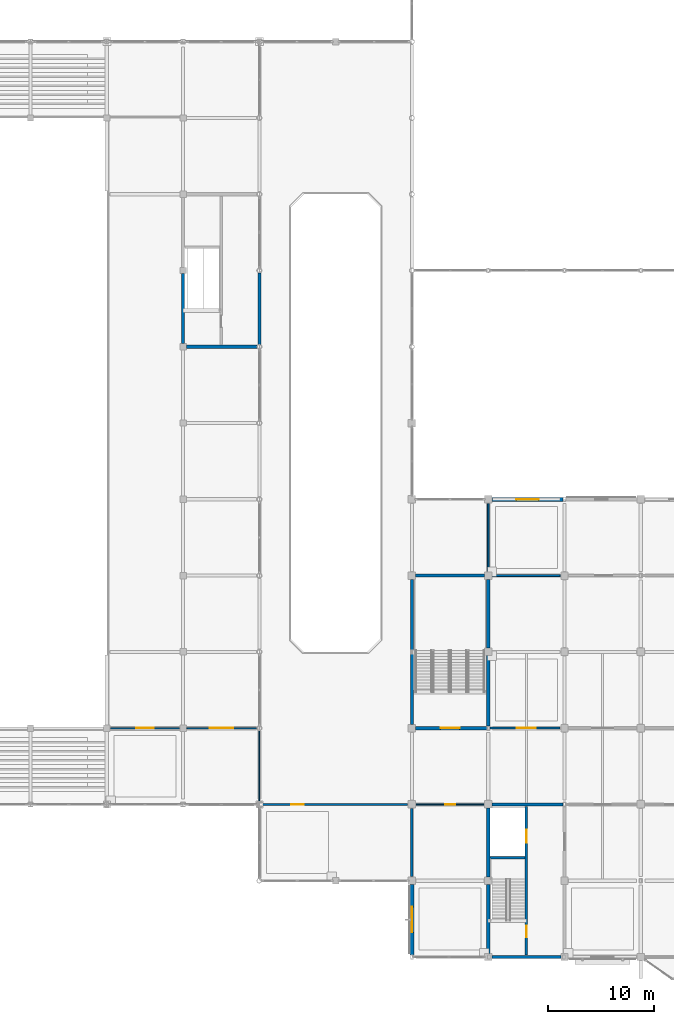
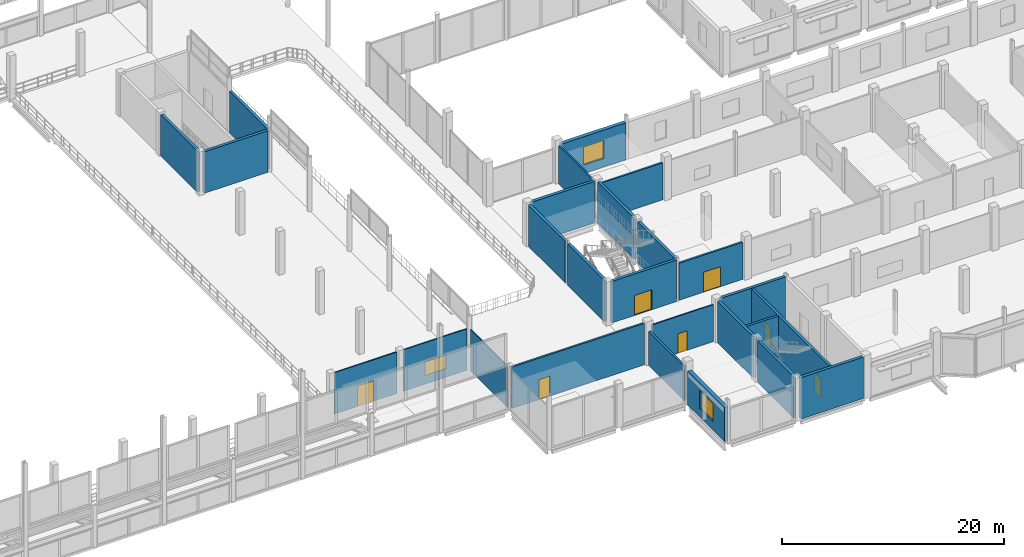
# One storey, part 93 of 120: 26 walls, 7 doors, 3 windows, 10 openings.
"""IFC4 building model written with IfcOpenShell, lengths in metres."""

from ifc_helpers import new_model, si_unit, direction, frame, frame_2d, origin, place, context, subcontext, project, spatial, rectangle, extrude, material, layer, layer_set, type_object, element, fill, save


model = new_model("IFC4")

# Units and contexts
model_context = context("Model", 3, precision=1e-05, world=origin(), true_north=direction((0.0, 1.0)))
body_context = subcontext(model_context, "Body", "Model", "MODEL_VIEW")
ifc_project = project(units=[si_unit("LENGTHUNIT", "METRE"), si_unit("AREAUNIT", "SQUARE_METRE"), si_unit("VOLUMEUNIT", "CUBIC_METRE"), si_unit("PLANEANGLEUNIT", "RADIAN"), si_unit("MASSUNIT", "GRAM", prefix="KILO")], contexts=[model_context])

# Site, building, storey
site_placement = place(None, origin())
site = spatial("IfcSite", under=ifc_project, at=site_placement, CompositionType="ELEMENT")
building_placement = place(site_placement, origin())
building = spatial("IfcBuilding", under=site, at=building_placement, Name="Vesperath Aquatics Centre", CompositionType="ELEMENT")
storey_placement = place(building_placement, frame((0.0, 0.0, 10.199951171875)))
storey = spatial("IfcBuildingStorey", under=building, at=storey_placement, Name="L02", CompositionType="ELEMENT", Elevation=10.199951171875)

# Wall, opening, window
ifc_material_1 = material(Name="Red-terracotta brick insulated cavity wall", Category="masonry")
ifc_layer_1 = layer(ifc_material_1, 0.3798828125)
ifc_layer_set_1 = layer_set([ifc_layer_1], Name="Red-terracotta brick insulated cavity wall")
wall_type_1 = type_object("IfcWallType", Name="WL-EW02", PredefinedType="SOLIDWALL", material=ifc_layer_set_1)
wall_1_placement = place(storey_placement, frame((122.75, 43.199951171875, 0.0), z_axis=(0.0, 0.0, 1.0), x_axis=(1.0, 0.0, 0.0)))
wall_1 = element("IfcWall", 1, at=wall_1_placement, inside=storey, type_object=wall_type_1, Name="Exterior Wall EW02 L02_N_17_06", PredefinedType="SOLIDWALL", context=body_context, shape_type="SweptSolid", body=[
    extrude(rectangle(XDim=6.72509765625, YDim=0.3798828125, at=frame_2d((3.362548828125, 0.0))), origin(), (0.0, 0.0, 1.0), 4.072021484375),
])
opening_1_placement = place(wall_1_placement, frame((2.31201171875, 0.0, 0.949951171875)))
opening_1 = element("IfcOpeningElement", 2, at=opening_1_placement, cuts=wall_1, Name="Opening W06", PredefinedType="OPENING", context=body_context, shape_type="SweptSolid", body=[
    extrude(rectangle(XDim=2.10009765625, YDim=2.0, at=frame_2d((1.050048828125, 1.0))), frame((0.0, 0.204833984375, 0.0), z_axis=(0.0, -1.0, 0.0), x_axis=(1.0, 0.0, 0.0)), (0.0, 0.0, 1.0), 0.40966796875),
])
ifc_material_2 = material(Name="Thermally broken aluminium triple-glazed window", Category="aluminium")
window_type_1 = type_object("IfcWindowType", Name="WN-W06", PartitioningType="SINGLE_PANEL", PredefinedType="WINDOW", material=ifc_material_2)
window_1_placement = place(opening_1_placement, origin())
window_1 = element("IfcWindow", 3, at=window_1_placement, inside=storey, type_object=window_type_1, Name="Deep-Reveal Casement Window W06 L02_N_17_06", OverallHeight=2.0, OverallWidth=2.10009765625, PartitioningType="SINGLE_PANEL", PredefinedType="WINDOW", context=body_context, shape_type="SweptSolid", body=[
    extrude(rectangle(XDim=2.10009765625, YDim=2.0, at=frame_2d((1.050048828125, 1.0))), frame((0.0, 0.030029296875, 0.0), z_axis=(0.0, -1.0, 0.0), x_axis=(1.0, 0.0, 0.0)), (0.0, 0.0, 1.0), 0.06005859375),
])
fill(opening_1, window_1)

wall_2_placement = place(storey_placement, frame((115.199951171875, 0.199951171875, 0.0), z_axis=(0.0, 0.0, 1.0), x_axis=(0.0, 1.0, 0.0)))
wall_2 = element("IfcWall", 4, at=wall_2_placement, inside=storey, type_object=wall_type_1, Name="Exterior Wall EW02 L02_W_16_00", PredefinedType="SOLIDWALL", context=body_context, shape_type="SweptSolid", body=[
    extrude(rectangle(XDim=6.650146484375, YDim=0.3798828125, at=frame_2d((3.3251953125, 0.0))), origin(), (0.0, 0.0, 1.0), 3.760009765625),
])
opening_2_placement = place(wall_2_placement, frame((2.125, 0.0, 0.949951171875)))
opening_2 = element("IfcOpeningElement", 5, at=opening_2_placement, cuts=wall_2, Name="Opening W05", PredefinedType="OPENING", context=body_context, shape_type="SweptSolid", body=[
    extrude(rectangle(XDim=2.39990234375, YDim=2.0, at=frame_2d((1.199951171875, 1.0))), frame((0.0, 0.204833984375, 0.0), z_axis=(0.0, -1.0, 0.0), x_axis=(1.0, 0.0, 0.0)), (0.0, 0.0, 1.0), 0.40966796875),
])
window_type_2 = type_object("IfcWindowType", Name="WN-W05", PartitioningType="SINGLE_PANEL", PredefinedType="WINDOW", material=ifc_material_2)
window_2_placement = place(opening_2_placement, origin())
window_2 = element("IfcWindow", 6, at=window_2_placement, inside=storey, type_object=window_type_2, Name="Deep-Reveal Casement Window W05 L02_W_16_00", OverallHeight=2.0, OverallWidth=2.39990234375, PartitioningType="SINGLE_PANEL", PredefinedType="WINDOW", context=body_context, shape_type="SweptSolid", body=[
    extrude(rectangle(XDim=2.39990234375, YDim=2.0, at=frame_2d((1.199951171875, 1.0))), frame((0.0, 0.030029296875, 0.0), z_axis=(0.0, -1.0, 0.0), x_axis=(1.0, 0.0, 0.0)), (0.0, 0.0, 1.0), 0.06005859375),
])
fill(opening_2, window_2)

# Wall
ifc_material_3 = material(Name="Autoclaved aerated masonry blockwork", Category="masonry")
ifc_layer_2 = layer(ifc_material_3, 0.22998046875)
ifc_layer_set_2 = layer_set([ifc_layer_2], Name="Autoclaved aerated masonry blockwork")
wall_type_2 = type_object("IfcWallType", Name="WL-FW01", PredefinedType="SOLIDWALL", material=ifc_layer_set_2)
wall_3_placement = place(storey_placement, frame((115.199951171875, 7.60009765625, 0.0), z_axis=(0.0, 0.0, 1.0), x_axis=(0.0, 1.0, 0.0)))
element("IfcWall", 7, at=wall_3_placement, inside=storey, type_object=wall_type_2, Name="Interior Partition FW01 L02_SALON-E1", PredefinedType="SOLIDWALL", context=body_context, shape_type="SweptSolid", body=[
    extrude(rectangle(XDim=6.39990234375, YDim=0.22998046875, at=frame_2d((3.199951171875, 0.0))), origin(), (0.0, 0.0, 1.0), 3.760009765625),
])

# Wall, opening, door
ifc_material_4 = material(Name="Wet-village masonry block wall", Category="masonry")
ifc_layer_3 = layer(ifc_material_4, 0.199951171875)
ifc_layer_set_3 = layer_set([ifc_layer_3], Name="Wet-village masonry block wall")
wall_type_3 = type_object("IfcWallType", Name="WL-FW03", PredefinedType="SOLIDWALL", material=ifc_layer_set_3)
wall_4_placement = place(storey_placement, frame((122.574951171875, 21.60009765625, 0.0), z_axis=(0.0, 0.0, 1.0), x_axis=(1.0, 0.0, 0.0)))
wall_4 = element("IfcWall", 8, at=wall_4_placement, inside=storey, type_object=wall_type_3, Name="Interior Partition FW03 L02_FUNC_TR-S1", PredefinedType="SOLIDWALL", context=body_context, shape_type="SweptSolid", body=[
    extrude(rectangle(XDim=6.625, YDim=0.199951171875, at=frame_2d((3.3125, 0.0))), origin(), (0.0, 0.0, 1.0), 4.072021484375),
])
opening_3_placement = place(wall_4_placement, frame((2.52490234375, 0.0, 0.0)))
opening_3 = element("IfcOpeningElement", 9, at=opening_3_placement, cuts=wall_4, Name="Opening D03", PredefinedType="OPENING", context=body_context, shape_type="SweptSolid", body=[
    extrude(rectangle(XDim=1.800048828125, YDim=2.199951171875, at=frame_2d((0.89990234375, 1.10009765625))), frame((0.0, 0.11474609375, 0.0), z_axis=(0.0, -1.0, 0.0), x_axis=(1.0, 0.0, 0.0)), (0.0, 0.0, 1.0), 0.229736328125),
])
ifc_material_5 = material(Name="Corridor smoke-control double fire door", Category="steel")
door_type_1 = type_object("IfcDoorType", Name="DR-FD03", OperationType="DOUBLE_SWING_LEFT", PredefinedType="DOOR", material=ifc_material_5)
door_1_placement = place(opening_3_placement, origin())
door_1 = element("IfcDoor", 10, at=door_1_placement, inside=storey, type_object=door_type_1, Name="Functional Athletic Turf Zone Door D03", OperationType="DOUBLE_SWING_LEFT", OverallHeight=2.199951171875, OverallWidth=1.800048828125, PredefinedType="DOOR", context=body_context, shape_type="SweptSolid", body=[
    extrude(rectangle(XDim=1.800048828125, YDim=2.199951171875, at=frame_2d((0.89990234375, 1.10009765625))), frame((0.0, 0.02490234375, 0.0), z_axis=(0.0, -1.0, 0.0), x_axis=(1.0, 0.0, 0.0)), (0.0, 0.0, 1.0), 0.050048828125),
])
fill(opening_3, door_1)

# Walls
ifc_material_6 = material(Name="Moisture-resistant tiled wet partition", Category="gypsum")
ifc_layer_4 = layer(ifc_material_6, 0.175048828125)
ifc_layer_set_4 = layer_set([ifc_layer_4], Name="Moisture-resistant tiled wet partition")
wall_type_4 = type_object("IfcWallType", Name="WL-IW02", PredefinedType="PARTITIONING", material=ifc_layer_set_4)
wall_5_placement = place(storey_placement, frame((122.800048828125, 36.0, 0.0), z_axis=(0.0, 0.0, 1.0), x_axis=(1.0, 0.0, 0.0)))
element("IfcWall", 11, at=wall_5_placement, inside=storey, type_object=wall_type_4, Name="Interior Partition IW02 L02_FUNC_TR-N1", PredefinedType="PARTITIONING", context=body_context, shape_type="SweptSolid", body=[
    extrude(rectangle(XDim=6.39990234375, YDim=0.175048828125, at=frame_2d((3.199951171875, 0.0))), origin(), (0.0, 0.0, 1.0), 4.072021484375),
])
wall_6_placement = place(storey_placement, frame((122.39990234375, 36.39990234375, 0.0), z_axis=(0.0, 0.0, 1.0), x_axis=(0.0, 1.0, 0.0)))
element("IfcWall", 12, at=wall_6_placement, inside=storey, type_object=wall_type_4, Name="Interior Partition IW02 L02_SPIN-W1", PredefinedType="PARTITIONING", context=body_context, shape_type="SweptSolid", body=[
    extrude(rectangle(XDim=6.400146484375, YDim=0.175048828125, at=frame_2d((3.2001953125, 0.0))), origin(), (0.0, 0.0, 1.0), 4.170166015625),
])

# Wall, opening, door
ifc_material_7 = material(Name="Sanitary plumbing wall", Category="gypsum")
ifc_layer_5 = layer(ifc_material_7, 0.1298828125)
ifc_layer_set_5 = layer_set([ifc_layer_5], Name="Sanitary plumbing wall")
wall_type_5 = type_object("IfcWallType", Name="WL-IW08", PredefinedType="PARTITIONING", material=ifc_layer_set_5)
wall_7_placement = place(storey_placement, frame((115.60009765625, 14.39990234375, 0.0), z_axis=(0.0, 0.0, 1.0), x_axis=(1.0, 0.0, 0.0)))
wall_7 = element("IfcWall", 13, at=wall_7_placement, inside=storey, type_object=wall_type_5, Name="Interior Partition IW08 L02_CARDIO-N1", PredefinedType="PARTITIONING", context=body_context, shape_type="SweptSolid", body=[
    extrude(rectangle(XDim=6.39990234375, YDim=0.1298828125, at=frame_2d((3.199951171875, 0.0))), origin(), (0.0, 0.0, 1.0), 4.072021484375),
])
opening_4_placement = place(wall_7_placement, frame((2.72998046875, 0.0, 0.0)))
opening_4 = element("IfcOpeningElement", 14, at=opening_4_placement, cuts=wall_7, Name="Opening D30", PredefinedType="OPENING", context=body_context, shape_type="SweptSolid", body=[
    extrude(rectangle(XDim=0.93994140625, YDim=2.14990234375, at=frame_2d((0.469970703125, 1.074951171875))), frame((0.0, 0.079833984375, 0.0), z_axis=(0.0, -1.0, 0.0), x_axis=(1.0, 0.0, 0.0)), (0.0, 0.0, 1.0), 0.15966796875),
])
ifc_material_8 = material(Name="Administration office oak door", Category="wood")
door_type_2 = type_object("IfcDoorType", Name="DR-RM22", OperationType="NOTDEFINED", PredefinedType="DOOR", material=ifc_material_8)
door_2_placement = place(opening_4_placement, frame((0.93994140625, 0.0, 0.0), z_axis=(0.0, 0.0, 1.0), x_axis=(-1.0, 0.0, 0.0)))
door_2 = element("IfcDoor", 15, at=door_2_placement, inside=storey, type_object=door_type_2, Name="Panoramic Cardio Fitness Hall Door D30", OperationType="SINGLE_SWING_RIGHT", OverallHeight=2.14990234375, OverallWidth=0.93994140625, PredefinedType="DOOR", context=body_context, shape_type="SweptSolid", body=[
    extrude(rectangle(XDim=0.93994140625, YDim=2.14990234375, at=frame_2d((0.469970703125, 1.074951171875))), frame((0.0, 0.02490234375, 0.0), z_axis=(0.0, -1.0, 0.0), x_axis=(1.0, 0.0, 0.0)), (0.0, 0.0, 1.0), 0.050048828125),
])
fill(opening_4, door_2)

ifc_material_9 = material(Name="Office dry-lined partition", Category="gypsum")
ifc_layer_6 = layer(ifc_material_9, 0.1220703125)
ifc_layer_set_6 = layer_set([ifc_layer_6], Name="Office dry-lined partition")
wall_type_6 = type_object("IfcWallType", Name="WL-IW09", PredefinedType="PARTITIONING", material=ifc_layer_set_6)
wall_8_placement = place(storey_placement, frame((86.75, 21.60009765625, 0.0), z_axis=(0.0, 0.0, 1.0), x_axis=(1.0, 0.0, 0.0)))
wall_8 = element("IfcWall", 16, at=wall_8_placement, inside=storey, type_object=wall_type_6, Name="Interior Partition IW09 L02_VIP-N1", PredefinedType="PARTITIONING", context=body_context, shape_type="SweptSolid", body=[
    extrude(rectangle(XDim=6.5, YDim=0.1220703125, at=frame_2d((3.25, 0.0))), origin(), (0.0, 0.0, 1.0), 4.56005859375),
])
opening_5_placement = place(wall_8_placement, frame((2.409912109375, 0.0, 0.0)))
opening_5 = element("IfcOpeningElement", 17, at=opening_5_placement, cuts=wall_8, Name="Opening D24", PredefinedType="OPENING", context=body_context, shape_type="SweptSolid", body=[
    extrude(rectangle(XDim=1.679931640625, YDim=2.25, at=frame_2d((0.83984375, 1.125))), frame((0.0, 0.075927734375, 0.0), z_axis=(0.0, -1.0, 0.0), x_axis=(1.0, 0.0, 0.0)), (0.0, 0.0, 1.0), 0.15185546875),
])
ifc_material_10 = material(Name="Gymnasium acoustic glazed double door", Category="aluminium")
door_type_3 = type_object("IfcDoorType", Name="DR-RM16", OperationType="DOUBLE_SWING_LEFT", PredefinedType="DOOR", material=ifc_material_10)
door_3_placement = place(opening_5_placement, frame((1.679931640625, 0.0, 0.0), z_axis=(0.0, 0.0, 1.0), x_axis=(-1.0, 0.0, 0.0)))
door_3 = element("IfcDoor", 18, at=door_3_placement, inside=storey, type_object=door_type_3, Name="Civic Hospitality and Medal Presentation Lounge Door D24", OperationType="DOUBLE_SWING_LEFT", OverallHeight=2.25, OverallWidth=1.679931640625, PredefinedType="DOOR", context=body_context, shape_type="SweptSolid", body=[
    extrude(rectangle(XDim=1.679931640625, YDim=2.25, at=frame_2d((0.83984375, 1.125))), frame((0.0, 0.02490234375, 0.0), z_axis=(0.0, -1.0, 0.0), x_axis=(1.0, 0.0, 0.0)), (0.0, 0.0, 1.0), 0.050048828125),
])
fill(opening_5, door_3)

# Wall, opening, window
ifc_material_11 = material(Name="Store dry-lined partition", Category="gypsum")
ifc_layer_7 = layer(ifc_material_11, 0.114990234375)
ifc_layer_set_7 = layer_set([ifc_layer_7], Name="Store dry-lined partition")
wall_type_7 = type_object("IfcWallType", Name="WL-IW10", PredefinedType="PARTITIONING", material=ifc_layer_set_7)
wall_9_placement = place(storey_placement, frame((93.949951171875, 21.60009765625, 0.0), z_axis=(0.0, 0.0, 1.0), x_axis=(1.0, 0.0, 0.0)))
wall_9 = element("IfcWall", 19, at=wall_9_placement, inside=storey, type_object=wall_type_7, Name="Interior Partition IW10 L02_VIP-N2", PredefinedType="PARTITIONING", context=body_context, shape_type="SweptSolid", body=[
    extrude(rectangle(XDim=6.571533203125, YDim=0.114990234375, at=frame_2d((3.28564453125, 0.0))), origin(), (0.0, 0.0, 1.0), 4.56005859375),
])
opening_6_placement = place(wall_9_placement, frame((2.18603515625, 0.0, 0.949951171875)))
opening_6 = element("IfcOpeningElement", 20, at=opening_6_placement, cuts=wall_9, Name="Opening VW03", PredefinedType="OPENING", context=body_context, shape_type="SweptSolid", body=[
    extrude(rectangle(XDim=2.199951171875, YDim=1.5, at=frame_2d((1.10009765625, 0.75))), frame((0.0, 0.072265625, 0.0), z_axis=(0.0, -1.0, 0.0), x_axis=(1.0, 0.0, 0.0)), (0.0, 0.0, 1.0), 0.144775390625),
])
ifc_material_12 = material(Name="Acoustic laminated interior viewing glazing", Category="glass")
window_type_3 = type_object("IfcWindowType", Name="WN-IW03", PartitioningType="SINGLE_PANEL", PredefinedType="WINDOW", material=ifc_material_12)
window_3_placement = place(opening_6_placement, origin())
window_3 = element("IfcWindow", 21, at=window_3_placement, inside=storey, type_object=window_type_3, Name="Interior Viewing Window VW03 L02_VIP", OverallHeight=1.5, OverallWidth=2.199951171875, PartitioningType="SINGLE_PANEL", PredefinedType="WINDOW", context=body_context, shape_type="SweptSolid", body=[
    extrude(rectangle(XDim=2.199951171875, YDim=1.5, at=frame_2d((1.10009765625, 0.75))), frame((0.0, 0.030029296875, 0.0), z_axis=(0.0, -1.0, 0.0), x_axis=(1.0, 0.0, 0.0)), (0.0, 0.0, 1.0), 0.06005859375),
])
fill(opening_6, window_3)

# Wall
ifc_material_13 = material(Name="Light room sub-partition", Category="gypsum")
ifc_layer_8 = layer(ifc_material_13, 0.10009765625)
ifc_layer_set_8 = layer_set([ifc_layer_8], Name="Light room sub-partition")
wall_type_8 = type_object("IfcWallType", Name="WL-IW12", PredefinedType="PARTITIONING", material=ifc_layer_set_8)
wall_10_placement = place(storey_placement, frame((100.800048828125, 14.6640625, 0.0), z_axis=(0.0, 0.0, 1.0), x_axis=(0.0, 1.0, 0.0)))
element("IfcWall", 22, at=wall_10_placement, inside=storey, type_object=wall_type_8, Name="Interior Partition IW12 L02_VIP-E1", PredefinedType="PARTITIONING", context=body_context, shape_type="SweptSolid", body=[
    extrude(rectangle(XDim=6.657470703125, YDim=0.10009765625, at=frame_2d((3.32861328125, 0.0))), origin(), (0.0, 0.0, 1.0), 4.56005859375),
])

# Wall, opening, door
ifc_material_14 = material(Name="Shaft enclosure fire partition", Category="gypsum")
ifc_layer_9 = layer(ifc_material_14, 0.195068359375)
ifc_layer_set_9 = layer_set([ifc_layer_9], Name="Shaft enclosure fire partition")
wall_type_9 = type_object("IfcWallType", Name="WL-IW14", PredefinedType="PARTITIONING", material=ifc_layer_set_9)
wall_11_placement = place(storey_placement, frame((101.053466796875, 14.39990234375, 0.0), z_axis=(0.0, 0.0, 1.0), x_axis=(1.0, 0.0, 0.0)))
wall_11 = element("IfcWall", 23, at=wall_11_placement, inside=storey, type_object=wall_type_9, Name="Interior Partition IW14 L02_SALON-N1", PredefinedType="PARTITIONING", context=body_context, shape_type="SweptSolid", body=[
    extrude(rectangle(XDim=13.74658203125, YDim=0.195068359375, at=frame_2d((6.873291015625, 0.0))), origin(), (0.0, 0.0, 1.0), 4.56005859375),
])
opening_7_placement = place(wall_11_placement, frame((2.7666015625, 0.0, 0.0)))
opening_7 = element("IfcOpeningElement", 24, at=opening_7_placement, cuts=wall_11, Name="Opening D26", PredefinedType="OPENING", context=body_context, shape_type="SweptSolid", body=[
    extrude(rectangle(XDim=1.159912109375, YDim=2.199951171875, at=frame_2d((0.580078125, 1.10009765625))), frame((0.0, 0.1123046875, 0.0), z_axis=(0.0, -1.0, 0.0), x_axis=(1.0, 0.0, 0.0)), (0.0, 0.0, 1.0), 0.224853515625),
])
ifc_material_15 = material(Name="Biomechanics laboratory sealed door", Category="steel")
door_type_4 = type_object("IfcDoorType", Name="DR-RM18", OperationType="NOTDEFINED", PredefinedType="DOOR", material=ifc_material_15)
door_4_placement = place(opening_7_placement, frame((1.159912109375, 0.0, 0.0), z_axis=(0.0, 0.0, 1.0), x_axis=(-1.0, 0.0, 0.0)))
door_4 = element("IfcDoor", 25, at=door_4_placement, inside=storey, type_object=door_type_4, Name="Sports Heritage Reading Salon Door D26", OperationType="SINGLE_SWING_RIGHT", OverallHeight=2.199951171875, OverallWidth=1.159912109375, PredefinedType="DOOR", context=body_context, shape_type="SweptSolid", body=[
    extrude(rectangle(XDim=1.159912109375, YDim=2.199951171875, at=frame_2d((0.580078125, 1.10009765625))), frame((0.0, 0.02490234375, 0.0), z_axis=(0.0, -1.0, 0.0), x_axis=(1.0, 0.0, 0.0)), (0.0, 0.0, 1.0), 0.050048828125),
])
fill(opening_7, door_4)

# Walls
ifc_material_16 = material(Name="Concrete C40", Category="concrete")
ifc_layer_10 = layer(ifc_material_16, 0.300048828125)
ifc_layer_set_10 = layer_set([ifc_layer_10], Name="Concrete C40")
wall_type_10 = type_object("IfcWallType", Name="WL-SW01", PredefinedType="SHEAR", material=ifc_layer_set_10)
wall_12_placement = place(storey_placement, frame((93.89990234375, 57.60009765625, 0.0), z_axis=(0.0, 0.0, 1.0), x_axis=(1.0, 0.0, 0.0)))
element("IfcWall", 26, at=wall_12_placement, inside=storey, type_object=wall_type_10, Name="Core C8 South Shear Wall SW01 L02", PredefinedType="SHEAR", context=body_context, shape_type="SweptSolid", body=[
    extrude(rectangle(XDim=6.671630859375, YDim=0.300048828125, at=frame_2d((3.3359375, 0.0))), origin(), (0.0, 0.0, 1.0), 4.56005859375),
])
wall_13_placement = place(storey_placement, frame((93.60009765625, 57.89990234375, 0.0), z_axis=(0.0, 0.0, 1.0), x_axis=(0.0, 1.0, 0.0)))
element("IfcWall", 27, at=wall_13_placement, inside=storey, type_object=wall_type_10, Name="Core C8 West-1 Shear Wall SW01 L02", PredefinedType="SHEAR", context=body_context, shape_type="SweptSolid", body=[
    extrude(rectangle(XDim=6.60009765625, YDim=0.300048828125, at=frame_2d((3.300048828125, 0.0))), origin(), (0.0, 0.0, 1.0), 4.56005859375),
])
wall_14_placement = place(storey_placement, frame((100.800048828125, 57.82861328125, 0.0), z_axis=(0.0, 0.0, 1.0), x_axis=(0.0, 1.0, 0.0)))
element("IfcWall", 28, at=wall_14_placement, inside=storey, type_object=wall_type_10, Name="Core C8 East-1 Shear Wall SW01 L02", PredefinedType="SHEAR", context=body_context, shape_type="SweptSolid", body=[
    extrude(rectangle(XDim=6.742919921875, YDim=0.300048828125, at=frame_2d((3.37158203125, 0.0))), origin(), (0.0, 0.0, 1.0), 4.56005859375),
])
wall_15_placement = place(storey_placement, frame((122.75, 14.39990234375, 0.0), z_axis=(0.0, 0.0, 1.0), x_axis=(1.0, 0.0, 0.0)))
element("IfcWall", 29, at=wall_15_placement, inside=storey, type_object=wall_type_10, Name="Core C5 North Shear Wall SW01 L02", PredefinedType="SHEAR", context=body_context, shape_type="SweptSolid", body=[
    extrude(rectangle(XDim=6.72509765625, YDim=0.300048828125, at=frame_2d((3.362548828125, 0.0))), origin(), (0.0, 0.0, 1.0), 4.56005859375),
])
for number, where, z_axis, x_axis, name in (
    (30, (122.39990234375, 0.35009765625, 0.0), (0.0, 0.0, 1.0), (0.0, 1.0, 0.0), "Core C5 West-1 Shear Wall SW01 L02"),
    (31, (122.39990234375, 7.550048828125, 0.0), (0.0, 0.0, 1.0), (0.0, 1.0, 0.0), "Core C5 West-2 Shear Wall SW01 L02"),
):
    element("IfcWall", number, at=place(storey_placement, frame(where, z_axis=z_axis, x_axis=x_axis)), inside=storey, type_object=wall_type_10, Name=name, PredefinedType="SHEAR", context=body_context, shape_type="SweptSolid", body=[
        extrude(rectangle(XDim=6.5, YDim=0.300048828125, at=frame_2d((3.25, 0.0))), origin(), (0.0, 0.0, 1.0), 4.56005859375),
    ])

# Wall, opening, door
wall_16_placement = place(storey_placement, frame((115.550048828125, 21.60009765625, 0.0), z_axis=(0.0, 0.0, 1.0), x_axis=(1.0, 0.0, 0.0)))
wall_16 = element("IfcWall", 32, at=wall_16_placement, inside=storey, type_object=wall_type_10, Name="Core C7 South Shear Wall SW01 L02", PredefinedType="SHEAR", context=body_context, shape_type="SweptSolid", body=[
    extrude(rectangle(XDim=6.724853515625, YDim=0.300048828125, at=frame_2d((3.3623046875, 0.0))), origin(), (0.0, 0.0, 1.0), 4.56005859375),
])
opening_8_placement = place(wall_16_placement, frame((2.35009765625, 0.0, 0.0)))
opening_8 = element("IfcOpeningElement", 33, at=opening_8_placement, cuts=wall_16, Name="Opening D03", PredefinedType="OPENING", context=body_context, shape_type="SweptSolid", body=[
    extrude(rectangle(XDim=1.800048828125, YDim=2.199951171875, at=frame_2d((0.89990234375, 1.10009765625))), frame((0.0, 0.1650390625, 0.0), z_axis=(0.0, -1.0, 0.0), x_axis=(1.0, 0.0, 0.0)), (0.0, 0.0, 1.0), 0.329833984375),
])
door_5_placement = place(opening_8_placement, origin())
door_5 = element("IfcDoor", 34, at=door_5_placement, inside=storey, type_object=door_type_1, Name="Stair ST7 Fire Door D03 L02", OperationType="DOUBLE_SWING_LEFT", OverallHeight=2.199951171875, OverallWidth=1.800048828125, PredefinedType="DOOR", context=body_context, shape_type="SweptSolid", body=[
    extrude(rectangle(XDim=1.800048828125, YDim=2.199951171875, at=frame_2d((0.89990234375, 1.10009765625))), frame((0.0, 0.02490234375, 0.0), z_axis=(0.0, -1.0, 0.0), x_axis=(1.0, 0.0, 0.0)), (0.0, 0.0, 1.0), 0.050048828125),
])
fill(opening_8, door_5)

# Walls
wall_17_placement = place(storey_placement, frame((115.550048828125, 36.0, 0.0), z_axis=(0.0, 0.0, 1.0), x_axis=(1.0, 0.0, 0.0)))
element("IfcWall", 35, at=wall_17_placement, inside=storey, type_object=wall_type_10, Name="Core C7 North Shear Wall SW01 L02", PredefinedType="SHEAR", context=body_context, shape_type="SweptSolid", body=[
    extrude(rectangle(XDim=6.5, YDim=0.300048828125, at=frame_2d((3.25, 0.0))), origin(), (0.0, 0.0, 1.0), 4.56005859375),
])
wall_18_placement = place(storey_placement, frame((115.199951171875, 21.949951171875, 0.0), z_axis=(0.0, 0.0, 1.0), x_axis=(0.0, 1.0, 0.0)))
element("IfcWall", 36, at=wall_18_placement, inside=storey, type_object=wall_type_10, Name="Core C7 West-1 Shear Wall SW01 L02", PredefinedType="SHEAR", context=body_context, shape_type="SweptSolid", body=[
    extrude(rectangle(XDim=6.650146484375, YDim=0.300048828125, at=frame_2d((3.3251953125, 0.0))), origin(), (0.0, 0.0, 1.0), 4.56005859375),
])
for number, where, z_axis, x_axis, name in (
    (37, (115.199951171875, 29.0, 0.0), (0.0, 0.0, 1.0), (0.0, 1.0, 0.0), "Core C7 West-2 Shear Wall SW01 L02"),
    (38, (122.39990234375, 21.800048828125, 0.0), (0.0, 0.0, 1.0), (0.0, 1.0, 0.0), "Core C7 East-1 Shear Wall SW01 L02"),
):
    element("IfcWall", number, at=place(storey_placement, frame(where, z_axis=z_axis, x_axis=x_axis)), inside=storey, type_object=wall_type_10, Name=name, PredefinedType="SHEAR", context=body_context, shape_type="SweptSolid", body=[
        extrude(rectangle(XDim=6.64990234375, YDim=0.300048828125, at=frame_2d((3.324951171875, 0.0))), origin(), (0.0, 0.0, 1.0), 4.56005859375),
    ])
wall_19_placement = place(storey_placement, frame((122.39990234375, 29.14990234375, 0.0), z_axis=(0.0, 0.0, 1.0), x_axis=(0.0, 1.0, 0.0)))
element("IfcWall", 39, at=wall_19_placement, inside=storey, type_object=wall_type_10, Name="Core C7 East-2 Shear Wall SW01 L02", PredefinedType="SHEAR", context=body_context, shape_type="SweptSolid", body=[
    extrude(rectangle(XDim=6.5, YDim=0.300048828125, at=frame_2d((3.25, 0.0))), origin(), (0.0, 0.0, 1.0), 4.56005859375),
])

# Wall, openings, doors
ifc_layer_11 = layer(ifc_material_16, 0.260009765625)
ifc_layer_set_11 = layer_set([ifc_layer_11], Name="Concrete C40")
wall_type_11 = type_object("IfcWallType", Name="WL-SW03", PredefinedType="SHEAR", material=ifc_layer_set_11)
wall_20_placement = place(storey_placement, frame((126.0, 0.199951171875, 0.0), z_axis=(0.0, 0.0, 1.0), x_axis=(0.0, 1.0, 0.0)))
wall_20 = element("IfcWall", 40, at=wall_20_placement, inside=storey, type_object=wall_type_11, Name="Core C5 Spine Shear Wall SW03 L02", PredefinedType="SHEAR", context=body_context, shape_type="SweptSolid", body=[
    extrude(rectangle(XDim=14.0, YDim=0.260009765625, at=frame_2d((7.0, 0.0))), origin(), (0.0, 0.0, 1.0), 4.56005859375),
])
opening_9_placement = place(wall_20_placement, frame((1.64990234375, 0.0, 0.0)))
opening_9 = element("IfcOpeningElement", 41, at=opening_9_placement, cuts=wall_20, Name="Opening D01", PredefinedType="OPENING", context=body_context, shape_type="SweptSolid", body=[
    extrude(rectangle(XDim=1.10009765625, YDim=2.14990234375, at=frame_2d((0.550048828125, 1.074951171875))), frame((0.0, 0.14501953125, 0.0), z_axis=(0.0, -1.0, 0.0), x_axis=(1.0, 0.0, 0.0)), (0.0, 0.0, 1.0), 0.289794921875),
])
opening_10_placement = place(wall_20_placement, frame((10.60009765625, 0.0, 0.0)))
opening_10 = element("IfcOpeningElement", 42, at=opening_10_placement, cuts=wall_20, Name="Opening LD03", PredefinedType="OPENING", context=body_context, shape_type="SweptSolid", body=[
    extrude(rectangle(XDim=1.199951171875, YDim=2.25, at=frame_2d((0.60009765625, 1.125))), frame((0.0, 0.14501953125, 0.0), z_axis=(0.0, -1.0, 0.0), x_axis=(1.0, 0.0, 0.0)), (0.0, 0.0, 1.0), 0.289794921875),
])
ifc_material_17 = material(Name="Steel-faced acoustic fire door", Category="steel")
door_type_5 = type_object("IfcDoorType", Name="DR-FD01", OperationType="NOTDEFINED", PredefinedType="DOOR", material=ifc_material_17)
door_6_placement = place(opening_9_placement, origin())
door_6 = element("IfcDoor", 43, at=door_6_placement, inside=storey, type_object=door_type_5, Name="Stair ST5 Fire Door D01 L02", OperationType="SINGLE_SWING_LEFT", OverallHeight=2.14990234375, OverallWidth=1.10009765625, PredefinedType="DOOR", context=body_context, shape_type="SweptSolid", body=[
    extrude(rectangle(XDim=1.10009765625, YDim=2.14990234375, at=frame_2d((0.550048828125, 1.074951171875))), frame((0.0, 0.02490234375, 0.0), z_axis=(0.0, -1.0, 0.0), x_axis=(1.0, 0.0, 0.0)), (0.0, 0.0, 1.0), 0.050048828125),
])
fill(opening_9, door_6)
ifc_material_18 = material(Name="Firefighting stainless lift landing door", Category="steel")
door_type_6 = type_object("IfcDoorType", Name="DR-LD03", OperationType="SLIDING_TO_LEFT", PredefinedType="DOOR", material=ifc_material_18)
door_7_placement = place(opening_10_placement, frame((1.199951171875, 0.0, 0.0), z_axis=(0.0, 0.0, 1.0), x_axis=(-1.0, 0.0, 0.0)))
door_7 = element("IfcDoor", 44, at=door_7_placement, inside=storey, type_object=door_type_6, Name="Lift LFT-FF1 Sliding Landing Door LD03 L02", OperationType="SLIDING_TO_LEFT", OverallHeight=2.25, OverallWidth=1.199951171875, PredefinedType="DOOR", context=body_context, shape_type="SweptSolid", body=[
    extrude(rectangle(XDim=1.199951171875, YDim=2.25, at=frame_2d((0.60009765625, 1.125))), frame((0.0, 0.02490234375, 0.0), z_axis=(0.0, -1.0, 0.0), x_axis=(1.0, 0.0, 0.0)), (0.0, 0.0, 1.0), 0.050048828125),
])
fill(opening_10, door_7)

# Walls
ifc_layer_12 = layer(ifc_material_16, 0.25)
ifc_layer_set_12 = layer_set([ifc_layer_12], Name="Concrete C40")
wall_type_12 = type_object("IfcWallType", Name="WL-SW04", PredefinedType="SHEAR", material=ifc_layer_set_12)
wall_21_placement = place(storey_placement, frame((122.56005859375, 9.3798828125, 0.0), z_axis=(0.0, 0.0, 1.0), x_axis=(1.0, 0.0, 0.0)))
element("IfcWall", 45, at=wall_21_placement, inside=storey, type_object=wall_type_12, Name="Core C5 Lift Shaft Wall SW04 L02", PredefinedType="SHEAR", context=body_context, shape_type="SweptSolid", body=[
    extrude(rectangle(XDim=3.300048828125, YDim=0.25, at=frame_2d((1.64990234375, 0.0))), origin(), (0.0, 0.0, 1.0), 4.56005859375),
])
ifc_layer_13 = layer(ifc_material_16, 0.31005859375)
ifc_layer_set_13 = layer_set([ifc_layer_13], Name="Concrete C40")
wall_type_13 = type_object("IfcWallType", Name="WL-SW05", PredefinedType="SHEAR", material=ifc_layer_set_13)
wall_22_placement = place(storey_placement, frame((122.75, 0.0, 0.0), z_axis=(0.0, 0.0, 1.0), x_axis=(1.0, 0.0, 0.0)))
element("IfcWall", 46, at=wall_22_placement, inside=storey, type_object=wall_type_13, Name="Core C5 South Shear Wall SW05 L02", PredefinedType="SHEAR", context=body_context, shape_type="SweptSolid", body=[
    extrude(rectangle(XDim=6.5, YDim=0.31005859375, at=frame_2d((3.25, 0.0))), origin(), (0.0, 0.0, 1.0), 4.56005859375),
])

save(model, "model.ifc")
